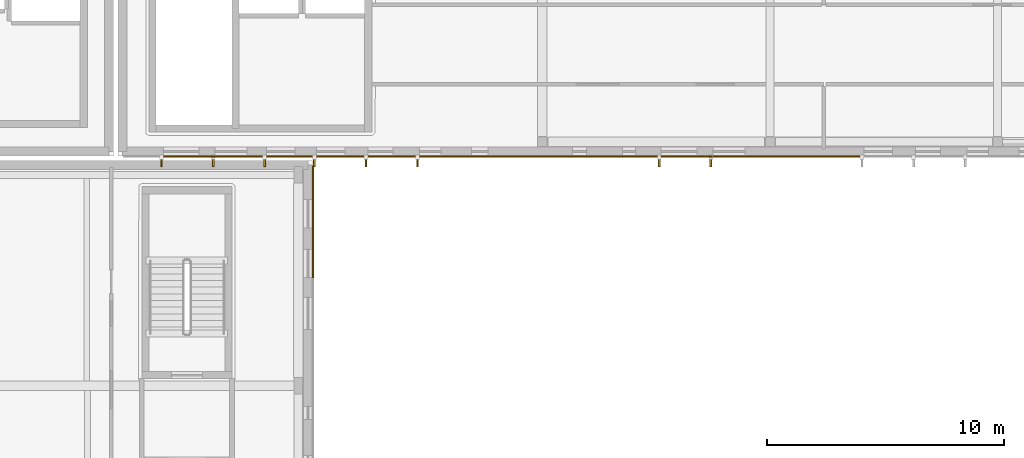
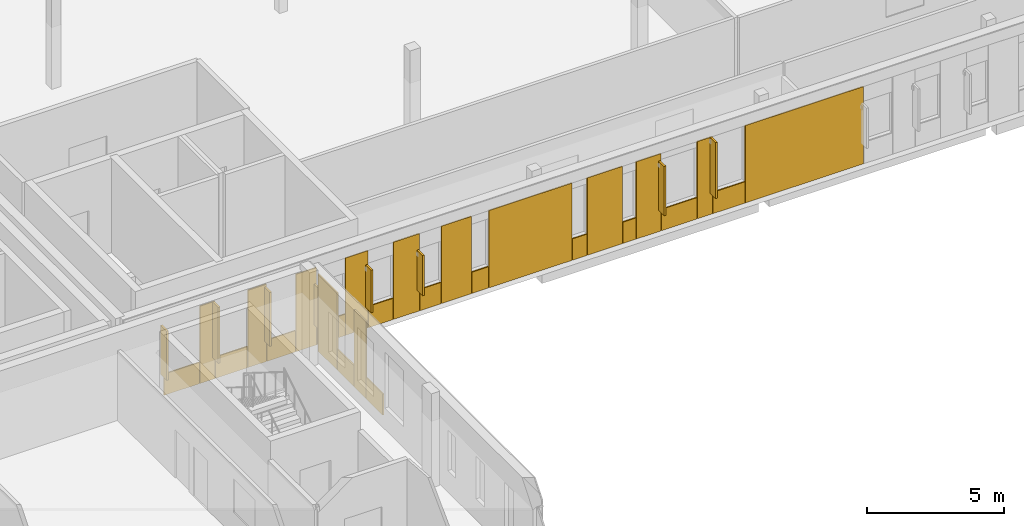
# One storey, part 55 of 73: 26 coverings, 8 shading devices.
"""IFC4 building model written with IfcOpenShell, lengths in metres."""

from ifc_helpers import new_model, si_unit, direction, frame, origin, origin_2d, place, context, subcontext, project, spatial, rectangle, extrude, material, layer, layer_set, type_object, element, save


model = new_model("IFC4")

# Units and contexts
model_context = context("Model", 3, precision=1e-05, world=origin(), true_north=direction((0.0, 1.0)))
body_context = subcontext(model_context, "Body", "Model", "MODEL_VIEW")
ifc_project = project(units=[si_unit("LENGTHUNIT", "METRE"), si_unit("AREAUNIT", "SQUARE_METRE"), si_unit("VOLUMEUNIT", "CUBIC_METRE"), si_unit("PLANEANGLEUNIT", "RADIAN"), si_unit("MASSUNIT", "GRAM", prefix="KILO")], contexts=[model_context])

# Site, building, storey
site_placement = place(None, origin())
site = spatial("IfcSite", under=ifc_project, at=site_placement, CompositionType="ELEMENT")
building_placement = place(site_placement, origin())
building = spatial("IfcBuilding", under=site, at=building_placement, Name="Mzevani Central Library", CompositionType="ELEMENT")
storey_placement = place(building_placement, frame((0.0, 0.0, 9.60009765625)))
storey = spatial("IfcBuildingStorey", under=building, at=storey_placement, Name="L02", CompositionType="ELEMENT", Elevation=9.60009765625)

# Shading devices
ifc_material_1 = material(Name="Anodized architectural bronze")
shading_device_type = type_object("IfcShadingDeviceType", Name="Anodized Bronze Vertical Sun-Breaker Fin", PredefinedType="USERDEFINED", material=ifc_material_1)
shading_device_1_placement = place(storey_placement, frame((71.10498046875, 42.27490234375, 0.949951171875), z_axis=(0.0, 0.0, 1.0), x_axis=(-1.0, 0.0, 0.0)))
element("IfcShadingDevice", 1, at=shading_device_1_placement, inside=storey, type_object=shading_device_type, Name="L02 V1 Solar Fin (107)", ObjectType="SOLAR FIN", PredefinedType="USERDEFINED", context=body_context, shape_type="SweptSolid", body=[
    extrude(rectangle(XDim=0.080078125, YDim=0.449951171875, at=origin_2d()), origin(), (0.0, 0.0, 1.0), 2.5),
])
shading_device_2_placement = place(storey_placement, frame((68.929931640625, 42.27490234375, 0.94970703125), z_axis=(0.0, 0.0, 1.0), x_axis=(-1.0, 0.0, 0.0)))
element("IfcShadingDevice", 2, at=shading_device_2_placement, inside=storey, type_object=shading_device_type, Name="L02 V1 Solar Fin (108)", ObjectType="SOLAR FIN", PredefinedType="USERDEFINED", context=body_context, shape_type="SweptSolid", body=[
    extrude(rectangle(XDim=0.080078125, YDim=0.449951171875, at=origin_2d()), origin(), (0.0, 0.0, 1.0), 2.199951171875),
])
shading_device_3_placement = place(storey_placement, frame((58.72998046875, 42.27490234375, 0.94970703125), z_axis=(0.0, 0.0, 1.0), x_axis=(-1.0, 0.0, 0.0)))
element("IfcShadingDevice", 3, at=shading_device_3_placement, inside=storey, type_object=shading_device_type, Name="L02 V1 Solar Fin (112)", ObjectType="SOLAR FIN", PredefinedType="USERDEFINED", context=body_context, shape_type="SweptSolid", body=[
    extrude(rectangle(XDim=0.080078125, YDim=0.449951171875, at=origin_2d()), origin(), (0.0, 0.0, 1.0), 1.800048828125),
])
shading_device_4_placement = place(storey_placement, frame((56.554931640625, 42.27490234375, 0.949951171875), z_axis=(0.0, 0.0, 1.0), x_axis=(-1.0, 0.0, 0.0)))
element("IfcShadingDevice", 4, at=shading_device_4_placement, inside=storey, type_object=shading_device_type, Name="L02 V1 Solar Fin (113)", ObjectType="SOLAR FIN", PredefinedType="USERDEFINED", context=body_context, shape_type="SweptSolid", body=[
    extrude(rectangle(XDim=0.080078125, YDim=0.449951171875, at=origin_2d()), origin(), (0.0, 0.0, 1.0), 1.89990234375),
])
shading_device_5_placement = place(storey_placement, frame((54.3798828125, 42.27490234375, 0.94970703125), z_axis=(0.0, 0.0, 1.0), x_axis=(-1.0, 0.0, 0.0)))
element("IfcShadingDevice", 5, at=shading_device_5_placement, inside=storey, type_object=shading_device_type, Name="L02 V1 Solar Fin (114)", ObjectType="SOLAR FIN", PredefinedType="USERDEFINED", context=body_context, shape_type="SweptSolid", body=[
    extrude(rectangle(XDim=0.080078125, YDim=0.449951171875, at=origin_2d()), origin(), (0.0, 0.0, 1.0), 1.800048828125),
])
shading_device_6_placement = place(storey_placement, frame((52.280029296875, 42.27490234375, 0.949951171875), z_axis=(0.0, 0.0, 1.0), x_axis=(-1.0, 0.0, 0.0)))
element("IfcShadingDevice", 6, at=shading_device_6_placement, inside=storey, type_object=shading_device_type, Name="L02 V1 Solar Fin (115)", ObjectType="SOLAR FIN", PredefinedType="USERDEFINED", context=body_context, shape_type="SweptSolid", body=[
    extrude(rectangle(XDim=0.080078125, YDim=0.449951171875, at=origin_2d()), origin(), (0.0, 0.0, 1.0), 2.39990234375),
])
shading_device_7_placement = place(storey_placement, frame((50.10498046875, 42.27490234375, 0.949951171875), z_axis=(0.0, 0.0, 1.0), x_axis=(-1.0, 0.0, 0.0)))
element("IfcShadingDevice", 7, at=shading_device_7_placement, inside=storey, type_object=shading_device_type, Name="L02 V1 Solar Fin (116)", ObjectType="SOLAR FIN", PredefinedType="USERDEFINED", context=body_context, shape_type="SweptSolid", body=[
    extrude(rectangle(XDim=0.080078125, YDim=0.449951171875, at=origin_2d()), origin(), (0.0, 0.0, 1.0), 2.5),
])
shading_device_8_placement = place(storey_placement, frame((47.929931640625, 42.27490234375, 0.94970703125), z_axis=(0.0, 0.0, 1.0), x_axis=(-1.0, 0.0, 0.0)))
element("IfcShadingDevice", 8, at=shading_device_8_placement, inside=storey, type_object=shading_device_type, Name="L02 V1 Solar Fin (117)", ObjectType="SOLAR FIN", PredefinedType="USERDEFINED", context=body_context, shape_type="SweptSolid", body=[
    extrude(rectangle(XDim=0.080078125, YDim=0.449951171875, at=origin_2d()), origin(), (0.0, 0.0, 1.0), 2.199951171875),
])

# Coverings
ifc_material_2 = material(Name="Limestone ashlar cladding", Category="masonry")
ifc_layer = layer(ifc_material_2, 0.050048828125, Name="Limestone Ashlar Spandrel Cladding")
ifc_layer_set = layer_set([ifc_layer], Name="Limestone ashlar cladding")
covering_type = type_object("IfcCoveringType", Name="Limestone Ashlar Spandrel Cladding", PredefinedType="CLADDING", material=ifc_layer_set)
covering_1_placement = place(storey_placement, frame((75.047607421875, 42.47607421875, 0.0), z_axis=(0.0, 0.0, 1.0), x_axis=(-1.0, 0.0, 0.0)))
element("IfcCovering", 9, at=covering_1_placement, inside=storey, type_object=covering_type, Name="L02 Warm-White Facade Pier 54 (EW4-V1-L02-0011)", PredefinedType="CLADDING", context=body_context, shape_type="SweptSolid", body=[
    extrude(rectangle(XDim=4.985107421875, YDim=0.050048828125, at=origin_2d()), origin(), (0.0, 0.0, 1.0), 3.449951171875),
])
covering_2_placement = place(storey_placement, frame((71.860107421875, 42.47607421875, 0.0), z_axis=(0.0, 0.0, 1.0), x_axis=(-1.0, 0.0, 0.0)))
element("IfcCovering", 10, at=covering_2_placement, inside=storey, type_object=covering_type, Name="L02 Warm-White Sill Cladding 55 (EW4-V1-L02-0011)", PredefinedType="CLADDING", context=body_context, shape_type="SweptSolid", body=[
    extrude(rectangle(XDim=1.35009765625, YDim=0.050048828125, at=origin_2d()), origin(), (0.0, 0.0, 1.0), 0.949951171875),
])
covering_3_placement = place(storey_placement, frame((70.847412109375, 42.47607421875, 0.0), z_axis=(0.0, 0.0, 1.0), x_axis=(-1.0, 0.0, 0.0)))
element("IfcCovering", 11, at=covering_3_placement, inside=storey, type_object=covering_type, Name="L02 Warm-White Facade Pier 56 (EW4-V1-L02-0011)", PredefinedType="CLADDING", context=body_context, shape_type="SweptSolid", body=[
    extrude(rectangle(XDim=0.635009765625, YDim=0.050048828125, at=origin_2d()), origin(), (0.0, 0.0, 1.0), 3.449951171875),
])
covering_4_placement = place(storey_placement, frame((69.760009765625, 42.47607421875, 0.0), z_axis=(0.0, 0.0, 1.0), x_axis=(-1.0, 0.0, 0.0)))
element("IfcCovering", 12, at=covering_4_placement, inside=storey, type_object=covering_type, Name="L02 Warm-White Sill Cladding 57 (EW4-V1-L02-0011)", PredefinedType="CLADDING", context=body_context, shape_type="SweptSolid", body=[
    extrude(rectangle(XDim=1.5, YDim=0.050048828125, at=origin_2d()), origin(), (0.0, 0.0, 1.0), 0.949951171875),
])
covering_5_placement = place(storey_placement, frame((68.472412109375, 42.47607421875, 0.0), z_axis=(0.0, 0.0, 1.0), x_axis=(-1.0, 0.0, 0.0)))
element("IfcCovering", 13, at=covering_5_placement, inside=storey, type_object=covering_type, Name="L02 Warm-White Facade Pier 58 (EW4-V1-L02-0011)", PredefinedType="CLADDING", context=body_context, shape_type="SweptSolid", body=[
    extrude(rectangle(XDim=1.034912109375, YDim=0.050048828125, at=origin_2d()), origin(), (0.0, 0.0, 1.0), 3.449951171875),
])
covering_6_placement = place(storey_placement, frame((67.659912109375, 42.47607421875, 0.0), z_axis=(0.0, 0.0, 1.0), x_axis=(-1.0, 0.0, 0.0)))
element("IfcCovering", 14, at=covering_6_placement, inside=storey, type_object=covering_type, Name="L02 Warm-White Sill Cladding 59 (EW4-V1-L02-0011)", PredefinedType="CLADDING", context=body_context, shape_type="SweptSolid", body=[
    extrude(rectangle(XDim=0.550048828125, YDim=0.050048828125, at=origin_2d()), origin(), (0.0, 0.0, 1.0), 0.949951171875),
])
covering_7_placement = place(storey_placement, frame((66.62255859375, 42.47607421875, 0.0), z_axis=(0.0, 0.0, 1.0), x_axis=(-1.0, 0.0, 0.0)))
element("IfcCovering", 15, at=covering_7_placement, inside=storey, type_object=covering_type, Name="L02 Warm-White Facade Pier 60 (EW4-V1-L02-0011)", PredefinedType="CLADDING", context=body_context, shape_type="SweptSolid", body=[
    extrude(rectangle(XDim=1.485107421875, YDim=0.050048828125, at=origin_2d()), origin(), (0.0, 0.0, 1.0), 3.449951171875),
])
covering_8_placement = place(storey_placement, frame((65.56005859375, 42.47607421875, 0.0), z_axis=(0.0, 0.0, 1.0), x_axis=(-1.0, 0.0, 0.0)))
element("IfcCovering", 16, at=covering_8_placement, inside=storey, type_object=covering_type, Name="L02 Warm-White Sill Cladding 61 (EW4-V1-L02-0011)", PredefinedType="CLADDING", context=body_context, shape_type="SweptSolid", body=[
    extrude(rectangle(XDim=0.60009765625, YDim=0.050048828125, at=origin_2d()), origin(), (0.0, 0.0, 1.0), 0.949951171875),
])
covering_9_placement = place(storey_placement, frame((63.485107421875, 42.47607421875, 0.0), z_axis=(0.0, 0.0, 1.0), x_axis=(-1.0, 0.0, 0.0)))
element("IfcCovering", 17, at=covering_9_placement, inside=storey, type_object=covering_type, Name="L02 Warm-White Facade Pier 62 (EW4-V1-L02-0011)", PredefinedType="CLADDING", context=body_context, shape_type="SweptSolid", body=[
    extrude(rectangle(XDim=3.510009765625, YDim=0.050048828125, at=origin_2d()), origin(), (0.0, 0.0, 1.0), 3.449951171875),
])
covering_10_placement = place(storey_placement, frame((61.360107421875, 42.47607421875, 0.0), z_axis=(0.0, 0.0, 1.0), x_axis=(-1.0, 0.0, 0.0)))
element("IfcCovering", 18, at=covering_10_placement, inside=storey, type_object=covering_type, Name="L02 Warm-White Sill Cladding 63 (EW4-V1-L02-0011)", PredefinedType="CLADDING", context=body_context, shape_type="SweptSolid", body=[
    extrude(rectangle(XDim=0.699951171875, YDim=0.050048828125, at=origin_2d()), origin(), (0.0, 0.0, 1.0), 0.949951171875),
])
covering_11_placement = place(storey_placement, frame((60.360107421875, 42.47607421875, 0.0), z_axis=(0.0, 0.0, 1.0), x_axis=(-1.0, 0.0, 0.0)))
element("IfcCovering", 19, at=covering_11_placement, inside=storey, type_object=covering_type, Name="L02 Warm-White Facade Pier 64 (EW4-V1-L02-0011)", PredefinedType="CLADDING", context=body_context, shape_type="SweptSolid", body=[
    extrude(rectangle(XDim=1.260009765625, YDim=0.050048828125, at=origin_2d()), origin(), (0.0, 0.0, 1.0), 3.449951171875),
])
covering_12_placement = place(storey_placement, frame((59.260009765625, 42.47607421875, 0.0), z_axis=(0.0, 0.0, 1.0), x_axis=(-1.0, 0.0, 0.0)))
element("IfcCovering", 20, at=covering_12_placement, inside=storey, type_object=covering_type, Name="L02 Warm-White Sill Cladding 65 (EW4-V1-L02-0011)", PredefinedType="CLADDING", context=body_context, shape_type="SweptSolid", body=[
    extrude(rectangle(XDim=0.89990234375, YDim=0.050048828125, at=origin_2d()), origin(), (0.0, 0.0, 1.0), 0.949951171875),
])
covering_13_placement = place(storey_placement, frame((58.24755859375, 42.47607421875, 0.0), z_axis=(0.0, 0.0, 1.0), x_axis=(-1.0, 0.0, 0.0)))
element("IfcCovering", 21, at=covering_13_placement, inside=storey, type_object=covering_type, Name="L02 Warm-White Facade Pier 66 (EW4-V1-L02-0011)", PredefinedType="CLADDING", context=body_context, shape_type="SweptSolid", body=[
    extrude(rectangle(XDim=1.0849609375, YDim=0.050048828125, at=origin_2d()), origin(), (0.0, 0.0, 1.0), 3.449951171875),
])
covering_14_placement = place(storey_placement, frame((57.159912109375, 42.47607421875, 0.0), z_axis=(0.0, 0.0, 1.0), x_axis=(-1.0, 0.0, 0.0)))
element("IfcCovering", 22, at=covering_14_placement, inside=storey, type_object=covering_type, Name="L02 Warm-White Sill Cladding 67 (EW4-V1-L02-0011)", PredefinedType="CLADDING", context=body_context, shape_type="SweptSolid", body=[
    extrude(rectangle(XDim=1.050048828125, YDim=0.050048828125, at=origin_2d()), origin(), (0.0, 0.0, 1.0), 0.949951171875),
])
covering_15_placement = place(storey_placement, frame((56.1474609375, 42.47607421875, 0.0), z_axis=(0.0, 0.0, 1.0), x_axis=(-1.0, 0.0, 0.0)))
element("IfcCovering", 23, at=covering_15_placement, inside=storey, type_object=covering_type, Name="L02 Warm-White Facade Pier 68 (EW4-V1-L02-0011)", PredefinedType="CLADDING", context=body_context, shape_type="SweptSolid", body=[
    extrude(rectangle(XDim=0.93505859375, YDim=0.050048828125, at=origin_2d()), origin(), (0.0, 0.0, 1.0), 3.449951171875),
])
covering_16_placement = place(storey_placement, frame((55.06005859375, 42.47607421875, 0.0), z_axis=(0.0, 0.0, 1.0), x_axis=(-1.0, 0.0, 0.0)))
element("IfcCovering", 24, at=covering_16_placement, inside=storey, type_object=covering_type, Name="L02 Warm-White Sill Cladding 69 (EW4-V1-L02-0011)", PredefinedType="CLADDING", context=body_context, shape_type="SweptSolid", body=[
    extrude(rectangle(XDim=1.199951171875, YDim=0.050048828125, at=origin_2d()), origin(), (0.0, 0.0, 1.0), 0.949951171875),
])
covering_17_placement = place(storey_placement, frame((54.010009765625, 42.47607421875, 0.0), z_axis=(0.0, 0.0, 1.0), x_axis=(-1.0, 0.0, 0.0)))
element("IfcCovering", 25, at=covering_17_placement, inside=storey, type_object=covering_type, Name="L02 Warm-White Facade Pier 70 (EW4-V1-L02-0011)", PredefinedType="CLADDING", context=body_context, shape_type="SweptSolid", body=[
    extrude(rectangle(XDim=0.860107421875, YDim=0.050048828125, at=origin_2d()), origin(), (0.0, 0.0, 1.0), 3.449951171875),
])
covering_18_placement = place(storey_placement, frame((52.9599609375, 42.47607421875, 0.0), z_axis=(0.0, 0.0, 1.0), x_axis=(-1.0, 0.0, 0.0)))
element("IfcCovering", 26, at=covering_18_placement, inside=storey, type_object=covering_type, Name="L02 Warm-White Sill Cladding 71 (EW4-V1-L02-0011)", PredefinedType="CLADDING", context=body_context, shape_type="SweptSolid", body=[
    extrude(rectangle(XDim=1.199951171875, YDim=0.050048828125, at=origin_2d()), origin(), (0.0, 0.0, 1.0), 0.949951171875),
])
covering_19_placement = place(storey_placement, frame((51.947509765625, 42.47607421875, 0.0), z_axis=(0.0, 0.0, 1.0), x_axis=(-1.0, 0.0, 0.0)))
element("IfcCovering", 27, at=covering_19_placement, inside=storey, type_object=covering_type, Name="L02 Warm-White Facade Pier 72 (EW4-V1-L02-0011)", PredefinedType="CLADDING", context=body_context, shape_type="SweptSolid", body=[
    extrude(rectangle(XDim=0.784912109375, YDim=0.050048828125, at=origin_2d()), origin(), (0.0, 0.0, 1.0), 3.449951171875),
])
covering_20_placement = place(storey_placement, frame((50.860107421875, 42.47607421875, 0.0), z_axis=(0.0, 0.0, 1.0), x_axis=(-1.0, 0.0, 0.0)))
element("IfcCovering", 28, at=covering_20_placement, inside=storey, type_object=covering_type, Name="L02 Warm-White Sill Cladding 73 (EW4-V1-L02-0011)", PredefinedType="CLADDING", context=body_context, shape_type="SweptSolid", body=[
    extrude(rectangle(XDim=1.35009765625, YDim=0.050048828125, at=origin_2d()), origin(), (0.0, 0.0, 1.0), 0.949951171875),
])
covering_21_placement = place(storey_placement, frame((49.847412109375, 42.47607421875, 0.0), z_axis=(0.0, 0.0, 1.0), x_axis=(-1.0, 0.0, 0.0)))
element("IfcCovering", 29, at=covering_21_placement, inside=storey, type_object=covering_type, Name="L02 Warm-White Facade Pier 74 (EW4-V1-L02-0011)", PredefinedType="CLADDING", context=body_context, shape_type="SweptSolid", body=[
    extrude(rectangle(XDim=0.635009765625, YDim=0.050048828125, at=origin_2d()), origin(), (0.0, 0.0, 1.0), 3.449951171875),
])
covering_22_placement = place(storey_placement, frame((48.760009765625, 42.47607421875, 0.0), z_axis=(0.0, 0.0, 1.0), x_axis=(-1.0, 0.0, 0.0)))
element("IfcCovering", 30, at=covering_22_placement, inside=storey, type_object=covering_type, Name="L02 Warm-White Sill Cladding 75 (EW4-V1-L02-0011)", PredefinedType="CLADDING", context=body_context, shape_type="SweptSolid", body=[
    extrude(rectangle(XDim=1.5, YDim=0.050048828125, at=origin_2d()), origin(), (0.0, 0.0, 1.0), 0.949951171875),
])
covering_23_placement = place(storey_placement, frame((54.323974609375, 41.385009765625, 0.0), z_axis=(0.0, 0.0, 1.0), x_axis=(0.0, -1.0, 0.0)))
element("IfcCovering", 31, at=covering_23_placement, inside=storey, type_object=covering_type, Name="L02 Warm-White Facade Pier 1 (EW4-V4-L02-0083)", PredefinedType="CLADDING", context=body_context, shape_type="SweptSolid", body=[
    extrude(rectangle(XDim=1.409912109375, YDim=0.050048828125, at=origin_2d()), origin(), (0.0, 0.0, 1.0), 3.449951171875),
])
covering_24_placement = place(storey_placement, frame((54.323974609375, 40.06005859375, 0.0), z_axis=(0.0, 0.0, 1.0), x_axis=(0.0, -1.0, 0.0)))
element("IfcCovering", 32, at=covering_24_placement, inside=storey, type_object=covering_type, Name="L02 Warm-White Sill Cladding 2 (EW4-V4-L02-0083)", PredefinedType="CLADDING", context=body_context, shape_type="SweptSolid", body=[
    extrude(rectangle(XDim=1.199951171875, YDim=0.050048828125, at=origin_2d()), origin(), (0.0, 0.0, 1.0), 0.949951171875),
])
covering_25_placement = place(storey_placement, frame((54.323974609375, 39.010009765625, 0.0), z_axis=(0.0, 0.0, 1.0), x_axis=(0.0, -1.0, 0.0)))
element("IfcCovering", 33, at=covering_25_placement, inside=storey, type_object=covering_type, Name="L02 Warm-White Facade Pier 3 (EW4-V4-L02-0083)", PredefinedType="CLADDING", context=body_context, shape_type="SweptSolid", body=[
    extrude(rectangle(XDim=0.860107421875, YDim=0.050048828125, at=origin_2d()), origin(), (0.0, 0.0, 1.0), 3.449951171875),
])
covering_26_placement = place(storey_placement, frame((54.323974609375, 37.9599609375, 0.0), z_axis=(0.0, 0.0, 1.0), x_axis=(0.0, -1.0, 0.0)))
element("IfcCovering", 34, at=covering_26_placement, inside=storey, type_object=covering_type, Name="L02 Warm-White Sill Cladding 4 (EW4-V4-L02-0083)", PredefinedType="CLADDING", context=body_context, shape_type="SweptSolid", body=[
    extrude(rectangle(XDim=1.199951171875, YDim=0.050048828125, at=origin_2d()), origin(), (0.0, 0.0, 1.0), 0.949951171875),
])

save(model, "model.ifc")
